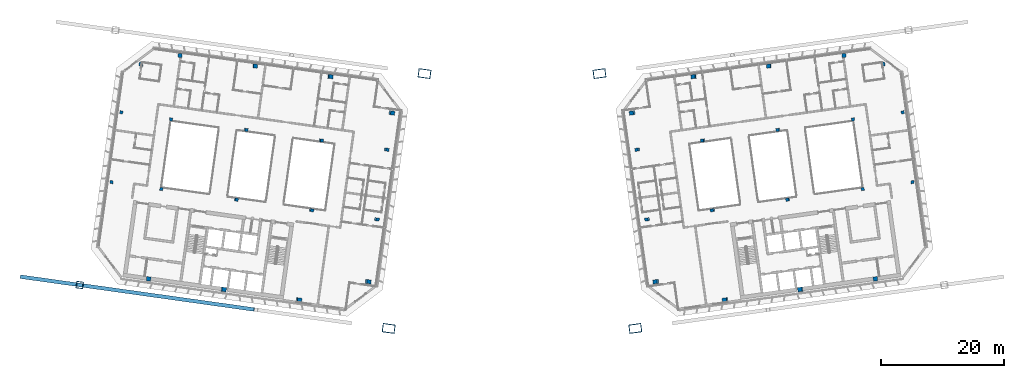
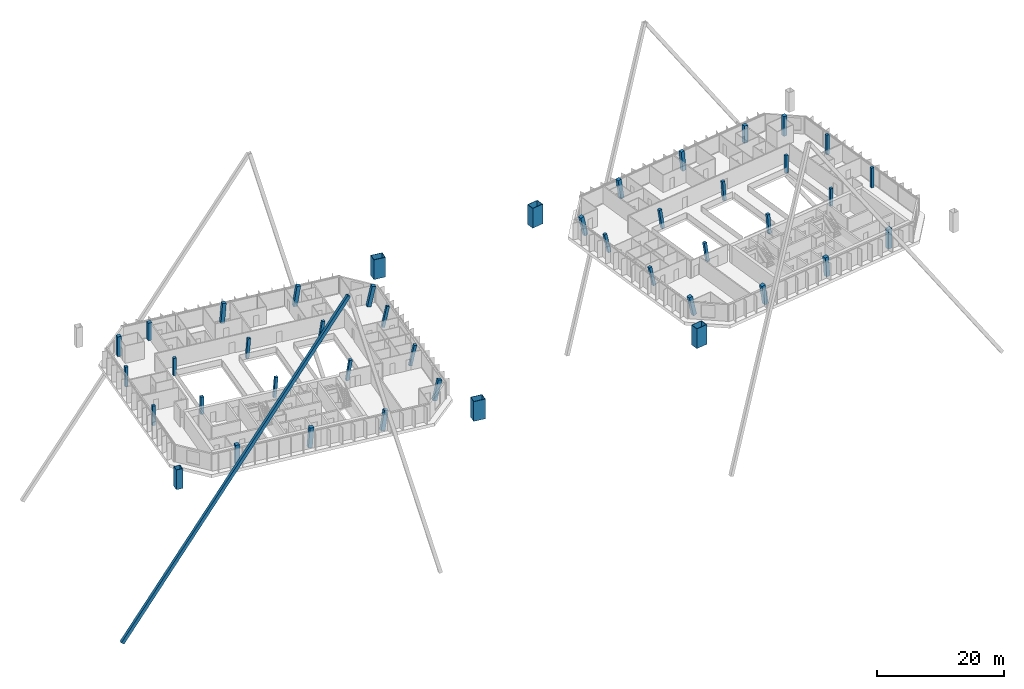
# One storey, part 1 of 28: 42 columns, 2 members.
"""IFC4 building model written with IfcOpenShell, lengths in metres."""

from ifc_helpers import new_model, si_unit, direction, frame, origin, origin_2d, place, context, subcontext, project, spatial, rectangle, hollow_rectangle, extrude, material, material_profile, profile_set, type_object, element, save


model = new_model("IFC4")

# Units and contexts
model_context = context("Model", 3, precision=1e-05, world=origin(), true_north=direction((0.0, 1.0)))
body_context = subcontext(model_context, "Body", "Model", "MODEL_VIEW")
ifc_project = project(units=[si_unit("LENGTHUNIT", "METRE"), si_unit("AREAUNIT", "SQUARE_METRE"), si_unit("VOLUMEUNIT", "CUBIC_METRE"), si_unit("PLANEANGLEUNIT", "RADIAN"), si_unit("MASSUNIT", "GRAM", prefix="KILO")], contexts=[model_context])

# Site, building, storey
site_placement = place(None, origin())
site = spatial("IfcSite", under=ifc_project, at=site_placement, CompositionType="ELEMENT")
building_placement = place(site_placement, origin())
building = spatial("IfcBuilding", under=site, at=building_placement, Name="Mirante Cascada Hotel Towers", CompositionType="ELEMENT")
storey_placement = place(building_placement, frame((0.0, 0.0, 243.2)))
storey = spatial("IfcBuildingStorey", under=building, at=storey_placement, Name="L58", CompositionType="ELEMENT", Elevation=243.2)

# Columns
ifc_material_1 = material(Name="Steel ASTM A572 Gr 50", Category="steel")
ifc_material_profile_1 = material_profile(ifc_material_1, hollow_rectangle(XDim=2.0, YDim=1.4, WallThickness=0.06, at=origin_2d()), Name="Box column 1400x2000x60 ASTM A572 Gr 50")
ifc_profile_set_1 = profile_set([ifc_material_profile_1], Name="Steel ASTM A572 Gr 50")
column_type_1 = type_object("IfcColumnType", Name="Box column 1400x2000x60 ASTM A572 Gr 50", PredefinedType="COLUMN", material=ifc_profile_set_1)
for number, where, z_axis, x_axis, name in (
    (1, (-14.2796, 16.997, 0.0), (0.0, 0.0, 1.0), (-0.9902681, 0.1391731, 0.0), "Mega column MC1 T1 L58"),
    (2, (-20.1249, -24.5942, 0.0), (0.0, 0.0, 1.0), (-0.9902681, 0.1391731, 0.0), "Mega column MC2 T1 L58"),
    (3, (14.2796, 16.997, 0.0), (0.0, 0.0, 1.0), (0.9902681, 0.1391731, 0.0), "Mega column MC1 T2 L58"),
    (4, (20.1249, -24.5942, 0.0), (0.0, 0.0, 1.0), (0.9902681, 0.1391731, 0.0), "Mega column MC2 T2 L58"),
):
    element("IfcColumn", number, at=place(storey_placement, frame(where, z_axis=z_axis, x_axis=x_axis)), inside=storey, type_object=column_type_1, Name=name, PredefinedType="COLUMN", context=body_context, shape_type="SweptSolid", body=[
        extrude(hollow_rectangle(XDim=2.0, YDim=1.4, WallThickness=0.06, at=origin_2d()), origin(), (0.0, 0.0, 1.0), 3.8),
    ])
ifc_material_2 = material(Name="Concrete C50/60", Category="concrete")
ifc_material_profile_2 = material_profile(ifc_material_2, rectangle(XDim=0.5, YDim=0.5, at=origin_2d()), Name="RC column 500x500 C50/60")
ifc_profile_set_2 = profile_set([ifc_material_profile_2], Name="Concrete C50/60")
column_type_2 = type_object("IfcColumnType", Name="RC column 500x500 C50/60", PredefinedType="COLUMN", material=ifc_profile_set_2)
for number, where, z_axis, x_axis, name in (
    (5, (-20.5733, 4.6023, 0.0039), (0.2124847, -0.0298509, 0.9767083), (0.1391187, 0.9902757, 0.0), "Column T1 L58 2"),
    (6, (-22.1738, -6.7858, 0.0039), (0.2124847, -0.0298509, 0.9767083), (0.1391187, 0.9902757, 0.0), "Column T1 L58 3"),
):
    element("IfcColumn", number, at=place(storey_placement, frame(where, z_axis=z_axis, x_axis=x_axis)), inside=storey, type_object=column_type_2, Name=name, PredefinedType="COLUMN", context=body_context, shape_type="SweptSolid", body=[
        extrude(rectangle(XDim=0.5, YDim=0.5, at=origin_2d()), origin(), (0.0, 0.0, 1.0), 3.8826),
    ])
for number, where, z_axis, x_axis, name in (
    (7, (-31.1845, 6.0936, 0.004), (0.1500153, -0.0210882, 0.9884587), (0.1392047, 0.9902636, 0.0), "Column T1 L58 6"),
    (8, (-32.785, -5.2945, 0.004), (0.1500154, -0.0210621, 0.9884593), (0.139036, 0.9902873, 0.0), "Column T1 L58 7"),
):
    element("IfcColumn", number, at=place(storey_placement, frame(where, z_axis=z_axis, x_axis=x_axis)), inside=storey, type_object=column_type_2, Name=name, PredefinedType="COLUMN", context=body_context, shape_type="SweptSolid", body=[
        extrude(rectangle(XDim=0.5, YDim=0.5, at=origin_2d()), origin(), (0.0, 0.0, 1.0), 3.8363),
    ])
for number, where, z_axis, x_axis, name in (
    (9, (-43.4146, 7.8124, 0.004), (0.0756486, -0.0106229, 0.997078), (0.1390597, 0.990284, 0.0), "Column T1 L58 10"),
    (10, (-45.0151, -3.5756, 0.004), (0.0756485, -0.0106492, 0.9970777), (0.1393972, 0.9902365, 0.0), "Column T1 L58 11"),
):
    element("IfcColumn", number, at=place(storey_placement, frame(where, z_axis=z_axis, x_axis=x_axis)), inside=storey, type_object=column_type_2, Name=name, PredefinedType="COLUMN", context=body_context, shape_type="SweptSolid", body=[
        extrude(rectangle(XDim=0.5, YDim=0.5, at=origin_2d()), origin(), (0.0, 0.0, 1.0), 3.8031),
    ])
for number, where, z_axis, x_axis, name in (
    (11, (-55.6447, 9.5313, 0.0), (0.0, 0.0, 1.0), (-0.9902681, 0.1391731, 0.0), "Column T1 L58 14"),
    (12, (-57.2452, -1.8568, 0.0), (0.0, 0.0, 1.0), (-0.9902681, 0.1391731, 0.0), "Column T1 L58 15"),
):
    element("IfcColumn", number, at=place(storey_placement, frame(where, z_axis=z_axis, x_axis=x_axis)), inside=storey, type_object=column_type_2, Name=name, PredefinedType="COLUMN", context=body_context, shape_type="SweptSolid", body=[
        extrude(rectangle(XDim=0.5, YDim=0.5, at=origin_2d()), origin(), (0.0, 0.0, 1.0), 3.3539),
    ])
for number, where, z_axis, x_axis, name in (
    (13, (-63.7649, 10.6725, 0.0), (0.0, 0.0, 1.0), (-0.9902681, 0.1391731, 0.0), "Column T1 L58 18"),
    (14, (-65.3654, -0.7156, 0.0), (0.0, 0.0, 1.0), (-0.9902681, 0.1391731, 0.0), "Column T1 L58 19"),
):
    element("IfcColumn", number, at=place(storey_placement, frame(where, z_axis=z_axis, x_axis=x_axis)), inside=storey, type_object=column_type_2, Name=name, PredefinedType="COLUMN", context=body_context, shape_type="SweptSolid", body=[
        extrude(rectangle(XDim=0.5, YDim=0.5, at=origin_2d()), origin(), (0.0, 0.0, 1.0), 3.8),
    ])
for number, where, z_axis, x_axis, name in (
    (15, (20.5733, 4.6023, 0.0039), (-0.2124847, -0.0298509, 0.9767083), (0.1391187, -0.9902757, 0.0), "Column T2 L58 2"),
    (16, (22.1738, -6.7858, 0.0039), (-0.2124847, -0.0298509, 0.9767083), (0.1391187, -0.9902757, 0.0), "Column T2 L58 3"),
):
    element("IfcColumn", number, at=place(storey_placement, frame(where, z_axis=z_axis, x_axis=x_axis)), inside=storey, type_object=column_type_2, Name=name, PredefinedType="COLUMN", context=body_context, shape_type="SweptSolid", body=[
        extrude(rectangle(XDim=0.5, YDim=0.5, at=origin_2d()), origin(), (0.0, 0.0, 1.0), 3.8826),
    ])
for number, where, z_axis, x_axis, name in (
    (17, (31.1845, 6.0936, 0.004), (-0.1500153, -0.0210882, 0.9884587), (0.1392047, -0.9902636, 0.0), "Column T2 L58 6"),
    (18, (32.785, -5.2945, 0.004), (-0.1500154, -0.0210621, 0.9884593), (0.139036, -0.9902873, 0.0), "Column T2 L58 7"),
):
    element("IfcColumn", number, at=place(storey_placement, frame(where, z_axis=z_axis, x_axis=x_axis)), inside=storey, type_object=column_type_2, Name=name, PredefinedType="COLUMN", context=body_context, shape_type="SweptSolid", body=[
        extrude(rectangle(XDim=0.5, YDim=0.5, at=origin_2d()), origin(), (0.0, 0.0, 1.0), 3.8363),
    ])
for number, where, z_axis, x_axis, name in (
    (19, (43.4146, 7.8124, 0.004), (-0.0756486, -0.0106229, 0.997078), (0.1390597, -0.990284, 0.0), "Column T2 L58 10"),
    (20, (45.0151, -3.5756, 0.004), (-0.0756485, -0.0106492, 0.9970777), (0.1393972, -0.9902365, 0.0), "Column T2 L58 11"),
):
    element("IfcColumn", number, at=place(storey_placement, frame(where, z_axis=z_axis, x_axis=x_axis)), inside=storey, type_object=column_type_2, Name=name, PredefinedType="COLUMN", context=body_context, shape_type="SweptSolid", body=[
        extrude(rectangle(XDim=0.5, YDim=0.5, at=origin_2d()), origin(), (0.0, 0.0, 1.0), 3.8031),
    ])
for number, where, z_axis, x_axis, name in (
    (21, (55.6447, 9.5313, 0.0), (0.0, 0.0, 1.0), (0.9902681, 0.1391731, 0.0), "Column T2 L58 14"),
    (22, (57.2452, -1.8568, 0.0), (0.0, 0.0, 1.0), (0.9902681, 0.1391731, 0.0), "Column T2 L58 15"),
):
    element("IfcColumn", number, at=place(storey_placement, frame(where, z_axis=z_axis, x_axis=x_axis)), inside=storey, type_object=column_type_2, Name=name, PredefinedType="COLUMN", context=body_context, shape_type="SweptSolid", body=[
        extrude(rectangle(XDim=0.5, YDim=0.5, at=origin_2d()), origin(), (0.0, 0.0, 1.0), 3.3539),
    ])
for number, where, z_axis, x_axis, name in (
    (23, (63.7649, 10.6725, 0.0), (0.0, 0.0, 1.0), (0.9902681, 0.1391731, 0.0), "Column T2 L58 18"),
    (24, (65.3654, -0.7156, 0.0), (0.0, 0.0, 1.0), (0.9902681, 0.1391731, 0.0), "Column T2 L58 19"),
):
    element("IfcColumn", number, at=place(storey_placement, frame(where, z_axis=z_axis, x_axis=x_axis)), inside=storey, type_object=column_type_2, Name=name, PredefinedType="COLUMN", context=body_context, shape_type="SweptSolid", body=[
        extrude(rectangle(XDim=0.5, YDim=0.5, at=origin_2d()), origin(), (0.0, 0.0, 1.0), 3.8),
    ])
ifc_material_3 = material(Name="Concrete C50/60", Category="concrete")
ifc_material_profile_3 = material_profile(ifc_material_3, rectangle(XDim=0.65, YDim=0.65, at=origin_2d()), Name="RC column 650x650 C50/60")
ifc_profile_set_3 = profile_set([ifc_material_profile_3], Name="Concrete C50/60")
column_type_3 = type_object("IfcColumnType", Name="RC column 650x650 C50/60", PredefinedType="COLUMN", material=ifc_profile_set_3)
for number, where, z_axis, x_axis, name in (
    (25, (-19.7313, 10.5934, 0.0039), (0.2124847, -0.0298509, 0.9767083), (0.1391187, 0.9902757, 0.0), "Column T1 L58 1"),
    (26, (-23.6003, -16.936, 0.0039), (0.2124845, -0.0298766, 0.9767076), (0.1392364, 0.9902592, 0.0), "Column T1 L58 4"),
):
    element("IfcColumn", number, at=place(storey_placement, frame(where, z_axis=z_axis, x_axis=x_axis)), inside=storey, type_object=column_type_3, Name=name, PredefinedType="COLUMN", context=body_context, shape_type="SweptSolid", body=[
        extrude(rectangle(XDim=0.65, YDim=0.65, at=origin_2d()), origin(), (0.0, 0.0, 1.0), 3.8826),
    ])
column_1_placement = place(storey_placement, frame((-29.7197, 16.5162, 0.004), z_axis=(0.1500153, -0.0210882, 0.9884587), x_axis=(0.1392047, 0.9902636, 0.0)))
element("IfcColumn", 27, at=column_1_placement, inside=storey, type_object=column_type_3, Name="Column T1 L58 5", PredefinedType="COLUMN", context=body_context, shape_type="SweptSolid", body=[
    extrude(rectangle(XDim=0.65, YDim=0.65, at=origin_2d()), origin(), (0.0, 0.0, 1.0), 3.8363),
])
column_2_placement = place(storey_placement, frame((-41.9498, 18.235, 0.004), z_axis=(0.0756486, -0.0106229, 0.997078), x_axis=(0.1390597, 0.990284, 0.0)))
element("IfcColumn", 28, at=column_2_placement, inside=storey, type_object=column_type_3, Name="Column T1 L58 9", PredefinedType="COLUMN", context=body_context, shape_type="SweptSolid", body=[
    extrude(rectangle(XDim=0.65, YDim=0.65, at=origin_2d()), origin(), (0.0, 0.0, 1.0), 3.8031),
])
column_3_placement = place(storey_placement, frame((-54.1799, 19.9538, 0.0), z_axis=(0.0, 0.0, 1.0), x_axis=(-0.9902681, 0.1391731, 0.0)))
element("IfcColumn", 29, at=column_3_placement, inside=storey, type_object=column_type_3, Name="Column T1 L58 13", PredefinedType="COLUMN", context=body_context, shape_type="SweptSolid", body=[
    extrude(rectangle(XDim=0.65, YDim=0.65, at=origin_2d()), origin(), (0.0, 0.0, 1.0), 3.3529),
])
column_4_placement = place(storey_placement, frame((-60.5372, 18.5499, 0.0), z_axis=(0.0, 0.0, 1.0), x_axis=(-0.9902681, 0.1391731, 0.0)))
element("IfcColumn", 30, at=column_4_placement, inside=storey, type_object=column_type_3, Name="Column T1 L58 17", PredefinedType="COLUMN", context=body_context, shape_type="SweptSolid", body=[
    extrude(rectangle(XDim=0.65, YDim=0.65, at=origin_2d()), origin(), (0.0, 0.0, 1.0), 3.8),
])
for number, where, z_axis, x_axis, name in (
    (31, (19.7313, 10.5934, 0.0039), (-0.2124847, -0.0298509, 0.9767083), (0.1391187, -0.9902757, 0.0), "Column T2 L58 1"),
    (32, (23.6003, -16.936, 0.0039), (-0.2124845, -0.0298766, 0.9767076), (0.1392364, -0.9902592, 0.0), "Column T2 L58 4"),
):
    element("IfcColumn", number, at=place(storey_placement, frame(where, z_axis=z_axis, x_axis=x_axis)), inside=storey, type_object=column_type_3, Name=name, PredefinedType="COLUMN", context=body_context, shape_type="SweptSolid", body=[
        extrude(rectangle(XDim=0.65, YDim=0.65, at=origin_2d()), origin(), (0.0, 0.0, 1.0), 3.8826),
    ])
column_5_placement = place(storey_placement, frame((29.7197, 16.5162, 0.004), z_axis=(-0.1500153, -0.0210882, 0.9884587), x_axis=(0.1392047, -0.9902636, 0.0)))
element("IfcColumn", 33, at=column_5_placement, inside=storey, type_object=column_type_3, Name="Column T2 L58 5", PredefinedType="COLUMN", context=body_context, shape_type="SweptSolid", body=[
    extrude(rectangle(XDim=0.65, YDim=0.65, at=origin_2d()), origin(), (0.0, 0.0, 1.0), 3.8363),
])
column_6_placement = place(storey_placement, frame((41.9498, 18.235, 0.004), z_axis=(-0.0756486, -0.0106229, 0.997078), x_axis=(0.1390597, -0.990284, 0.0)))
element("IfcColumn", 34, at=column_6_placement, inside=storey, type_object=column_type_3, Name="Column T2 L58 9", PredefinedType="COLUMN", context=body_context, shape_type="SweptSolid", body=[
    extrude(rectangle(XDim=0.65, YDim=0.65, at=origin_2d()), origin(), (0.0, 0.0, 1.0), 3.8031),
])
column_7_placement = place(storey_placement, frame((54.1799, 19.9538, 0.0), z_axis=(0.0, 0.0, 1.0), x_axis=(0.9902681, 0.1391731, 0.0)))
element("IfcColumn", 35, at=column_7_placement, inside=storey, type_object=column_type_3, Name="Column T2 L58 13", PredefinedType="COLUMN", context=body_context, shape_type="SweptSolid", body=[
    extrude(rectangle(XDim=0.65, YDim=0.65, at=origin_2d()), origin(), (0.0, 0.0, 1.0), 3.3529),
])
column_8_placement = place(storey_placement, frame((60.5372, 18.5499, 0.0), z_axis=(0.0, 0.0, 1.0), x_axis=(0.9902681, 0.1391731, 0.0)))
element("IfcColumn", 36, at=column_8_placement, inside=storey, type_object=column_type_3, Name="Column T2 L58 17", PredefinedType="COLUMN", context=body_context, shape_type="SweptSolid", body=[
    extrude(rectangle(XDim=0.65, YDim=0.65, at=origin_2d()), origin(), (0.0, 0.0, 1.0), 3.8),
])
ifc_material_4 = material(Name="Concrete C50/60", Category="concrete")
ifc_material_profile_4 = material_profile(ifc_material_4, rectangle(XDim=0.7, YDim=0.7, at=origin_2d()), Name="RC column 700x700 C50/60")
ifc_profile_set_4 = profile_set([ifc_material_profile_4], Name="Concrete C50/60")
column_type_4 = type_object("IfcColumnType", Name="RC column 700x700 C50/60", PredefinedType="COLUMN", material=ifc_profile_set_4)
column_9_placement = place(storey_placement, frame((-34.8447, -19.9504, 0.004), z_axis=(0.1499898, -0.0210882, 0.9884626), x_axis=(0.1392285, 0.9902603, 0.0)))
element("IfcColumn", 37, at=column_9_placement, inside=storey, type_object=column_type_4, Name="Column T1 L58 8", PredefinedType="COLUMN", context=body_context, shape_type="SweptSolid", body=[
    extrude(rectangle(XDim=0.7, YDim=0.7, at=origin_2d()), origin(), (0.0, 0.0, 1.0), 3.8363),
])
column_10_placement = place(storey_placement, frame((-47.0748, -18.2316, 0.004), z_axis=(0.0756486, -0.0106229, 0.997078), x_axis=(0.1390597, 0.990284, 0.0)))
element("IfcColumn", 38, at=column_10_placement, inside=storey, type_object=column_type_4, Name="Column T1 L58 12", PredefinedType="COLUMN", context=body_context, shape_type="SweptSolid", body=[
    extrude(rectangle(XDim=0.7, YDim=0.7, at=origin_2d()), origin(), (0.0, 0.0, 1.0), 3.8031),
])
column_11_placement = place(storey_placement, frame((-59.305, -16.5128, 0.0), z_axis=(0.0, 0.0, 1.0), x_axis=(-0.9902681, 0.1391731, 0.0)))
element("IfcColumn", 39, at=column_11_placement, inside=storey, type_object=column_type_4, Name="Column T1 L58 16", PredefinedType="COLUMN", context=body_context, shape_type="SweptSolid", body=[
    extrude(rectangle(XDim=0.7, YDim=0.7, at=origin_2d()), origin(), (0.0, 0.0, 1.0), 3.8),
])
column_12_placement = place(storey_placement, frame((34.8447, -19.9504, 0.004), z_axis=(-0.1499898, -0.0210882, 0.9884626), x_axis=(0.1392285, -0.9902603, 0.0)))
element("IfcColumn", 40, at=column_12_placement, inside=storey, type_object=column_type_4, Name="Column T2 L58 8", PredefinedType="COLUMN", context=body_context, shape_type="SweptSolid", body=[
    extrude(rectangle(XDim=0.7, YDim=0.7, at=origin_2d()), origin(), (0.0, 0.0, 1.0), 3.8363),
])
column_13_placement = place(storey_placement, frame((47.0748, -18.2316, 0.004), z_axis=(-0.0756486, -0.0106229, 0.997078), x_axis=(0.1390597, -0.990284, 0.0)))
element("IfcColumn", 41, at=column_13_placement, inside=storey, type_object=column_type_4, Name="Column T2 L58 12", PredefinedType="COLUMN", context=body_context, shape_type="SweptSolid", body=[
    extrude(rectangle(XDim=0.7, YDim=0.7, at=origin_2d()), origin(), (0.0, 0.0, 1.0), 3.8031),
])
column_14_placement = place(storey_placement, frame((59.305, -16.5128, 0.0), z_axis=(0.0, 0.0, 1.0), x_axis=(0.9902681, 0.1391731, 0.0)))
element("IfcColumn", 42, at=column_14_placement, inside=storey, type_object=column_type_4, Name="Column T2 L58 16", PredefinedType="COLUMN", context=body_context, shape_type="SweptSolid", body=[
    extrude(rectangle(XDim=0.7, YDim=0.7, at=origin_2d()), origin(), (0.0, 0.0, 1.0), 3.8),
])

# Members
ifc_material_5 = material(Name="Steel ASTM A572 Gr 50", Category="steel")
ifc_material_profile_5 = material_profile(ifc_material_5, hollow_rectangle(XDim=0.6, YDim=0.6, WallThickness=0.028, at=origin_2d()), Name="Box brace 600x600x28 ASTM A572 Gr 50")
ifc_profile_set_5 = profile_set([ifc_material_profile_5], Name="Steel ASTM A572 Gr 50")
member_type_1 = type_object("IfcMemberType", Name="Box brace 600x600x28 ASTM A572 Gr 50", PredefinedType="BRACE", material=ifc_profile_set_5)
member_1_placement = place(storey_placement, frame((-80.0142, -16.1773, -27.3819), z_axis=(0.556237, -0.0781745, 0.8273386), x_axis=(0.139174, 0.9902679, 0.0)))
element("IfcMember", 43, at=member_1_placement, inside=storey, type_object=member_type_1, Name="brace T1 L58 4", PredefinedType="BRACE", context=body_context, shape_type="SweptSolid", body=[
    extrude(hollow_rectangle(XDim=0.6, YDim=0.6, WallThickness=0.028, at=origin_2d()), origin(), (0.0, 0.0, 1.0), 68.5492),
])
ifc_material_6 = material(Name="Steel ASTM A572 Gr 50", Category="steel")
ifc_material_profile_6 = material_profile(ifc_material_6, hollow_rectangle(XDim=1.1, YDim=1.1, WallThickness=0.05, at=origin_2d()), Name="Box post 1100x1100x50 ASTM A572 Gr 50")
ifc_profile_set_6 = profile_set([ifc_material_profile_6], Name="Steel ASTM A572 Gr 50")
member_type_2 = type_object("IfcMemberType", Name="Box post 1100x1100x50 ASTM A572 Gr 50", PredefinedType="POST", material=ifc_profile_set_6)
member_2_placement = place(storey_placement, frame((-70.5528, -17.5071, 0.0), z_axis=(0.0, 0.0, 1.0), x_axis=(-0.9902681, 0.1391731, 0.0)))
element("IfcMember", 44, at=member_2_placement, inside=storey, type_object=member_type_2, Name="Mega column MP4 T1 L58", PredefinedType="POST", context=body_context, shape_type="SweptSolid", body=[
    extrude(hollow_rectangle(XDim=1.1, YDim=1.1, WallThickness=0.05, at=origin_2d()), origin(), (0.0, 0.0, 1.0), 3.8),
])

save(model, "model.ifc")
